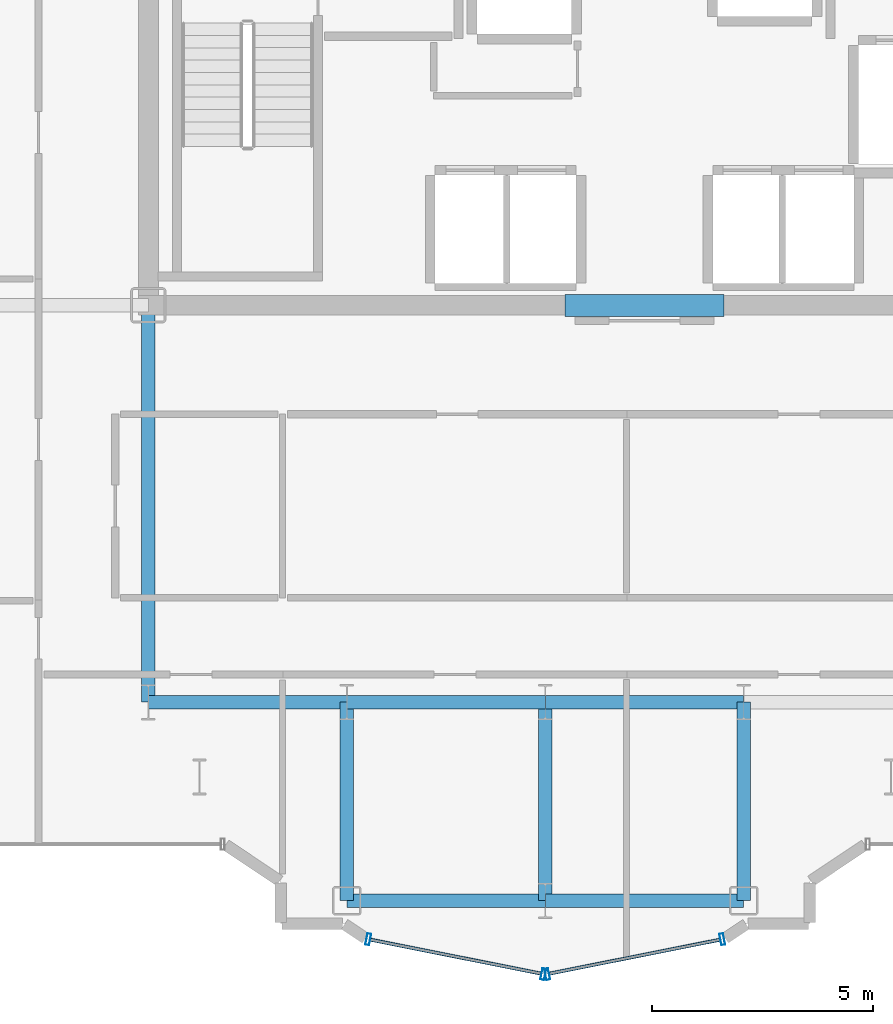
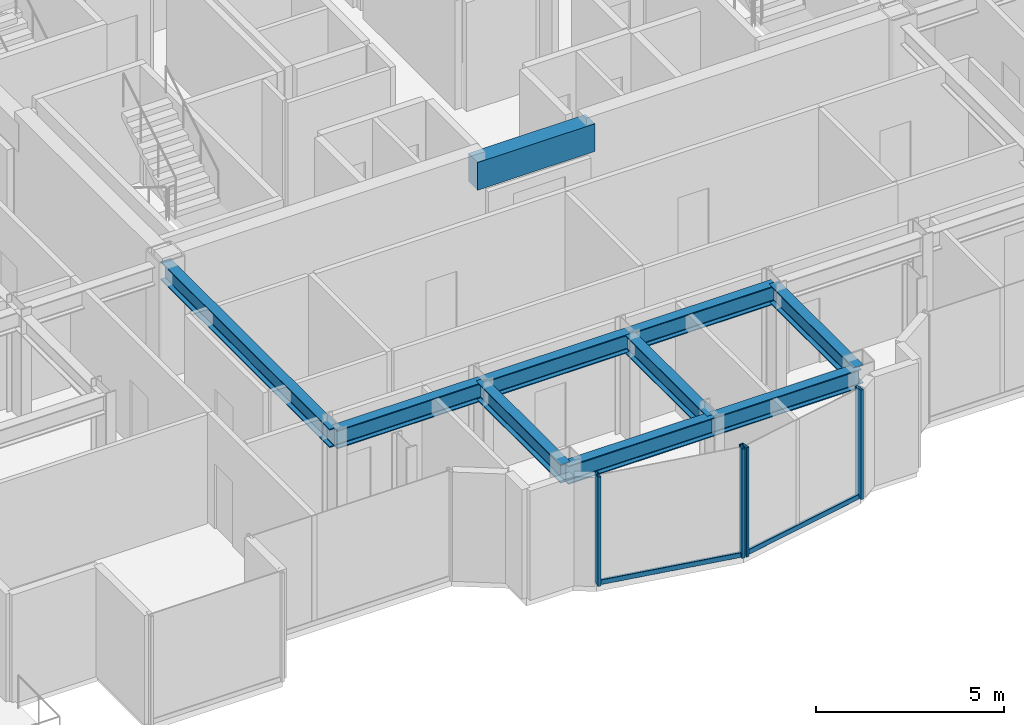
# One storey, part 3 of 21: 10 beams, 6 members, 2 elements without a shape of their own.
"""IFC4 building model written with IfcOpenShell, lengths in metres."""

import ifcopenshell
import ifcopenshell.guid

model = None  # the IFC model being written
_history = None  # IfcOwnerHistory: only IFC2X3 demands one
_inside = {}  # id of a spatial element -> (the spatial element, [elements in it])
_under = {}  # id of a project, library or spatial element -> (it, [spatial elements below it])
_declared = {}  # id of a project -> (the project, [libraries it declares])
_typed = {}  # id of a type object -> (the type object, [elements of that type])
_made_of = {}  # id of a material, layer set ... -> (it, [elements and type objects made of it])


def new_model(schema):
    """Start an empty IFC model of exactly this schema.

    Asked for "IFC4X3", IfcOpenShell would pick the latest addendum, in which some entities
    have other attributes; the version numbers below select the first issue.
    IFC2X3 requires an IfcOwnerHistory on every rooted entity: one is made here for all.
    """
    global model, _history
    if schema == "IFC4X3":
        model = ifcopenshell.file(schema_version=(4, 3, 0, 0))
    else:
        model = ifcopenshell.file(schema=schema)
    _inside.clear()
    _under.clear()
    _declared.clear()
    _typed.clear()
    _made_of.clear()
    _history = None
    if model.schema == "IFC2X3":
        org = make("IfcOrganization", Name="unknown")
        user = make(
            "IfcPersonAndOrganization",
            ThePerson=make("IfcPerson", FamilyName="unknown"),
            TheOrganization=org,
        )
        app = make(
            "IfcApplication",
            ApplicationDeveloper=org,
            Version="unknown",
            ApplicationFullName="unknown",
            ApplicationIdentifier="unknown",
        )
        _history = make(
            "IfcOwnerHistory",
            OwningUser=user,
            OwningApplication=app,
            ChangeAction="ADDED",
            CreationDate=0,
        )
    return model


def make(cls, **values):
    """One entity of the class cls with the attributes given. An attribute that is None is left unset."""
    return model.create_entity(
        cls, **{name: value for name, value in values.items() if value is not None}
    )


def rooted(cls, **values):
    """An entity with a GlobalId (a new one), such as an element, a storey or a relation."""
    return make(cls, GlobalId=ifcopenshell.guid.new(), OwnerHistory=_history, **values)


def si_unit(unit_type, name, prefix=None):
    """IfcSIUnit, for example si_unit("LENGTHUNIT", "METRE", prefix="MILLI")."""
    return make("IfcSIUnit", UnitType=unit_type, Prefix=prefix, Name=name)


def assignment(units):
    """IfcUnitAssignment: the units of a project."""
    return None if units is None else make("IfcUnitAssignment", Units=units)


def point(xyz):
    """IfcCartesianPoint."""
    return None if xyz is None else make("IfcCartesianPoint", Coordinates=xyz)


def direction(xyz):
    """IfcDirection."""
    return None if xyz is None else make("IfcDirection", DirectionRatios=xyz)


def frame(location, z_axis=None, x_axis=None):
    """IfcAxis2Placement3D, a coordinate frame: its origin and axes. An axis left out is left unset."""
    return make(
        "IfcAxis2Placement3D",
        Location=point(location),
        Axis=direction(z_axis),
        RefDirection=direction(x_axis),
    )


def frame_2d(location, x_axis=None):
    """IfcAxis2Placement2D, a coordinate frame in the plane: its origin and x axis."""
    return make(
        "IfcAxis2Placement2D", Location=point(location), RefDirection=direction(x_axis)
    )


def origin():
    """The frame at (0, 0, 0) with its axes left unset."""
    return frame((0.0, 0.0, 0.0))


def origin_2d():
    """The frame at (0, 0) in the plane with its x axis left unset."""
    return frame_2d((0.0, 0.0))


def place(relative_to, where):
    """IfcLocalPlacement: puts the frame where relative to a parent placement (None: the world)."""
    return make(
        "IfcLocalPlacement", PlacementRelTo=relative_to, RelativePlacement=where
    )


def context(
    kind, dimensions, precision=None, world=None, true_north=None, identifier=None
):
    """IfcGeometricRepresentationContext, for example the 3D "Model" context."""
    return make(
        "IfcGeometricRepresentationContext",
        ContextIdentifier=identifier,
        ContextType=kind,
        CoordinateSpaceDimension=dimensions,
        Precision=precision,
        WorldCoordinateSystem=world,
        TrueNorth=true_north,
    )


def subcontext(parent, identifier, kind, view, scale=None):
    """IfcGeometricRepresentationSubContext, for example "Body" below "Model"."""
    return make(
        "IfcGeometricRepresentationSubContext",
        ContextIdentifier=identifier,
        ContextType=kind,
        ParentContext=parent,
        TargetScale=scale,
        TargetView=view,
    )


def project(units=None, contexts=None):
    """IfcProject with its units and contexts."""
    return rooted(
        "IfcProject",
        Name="project",
        RepresentationContexts=contexts,
        UnitsInContext=assignment(units),
    )


def spatial(cls, under=None, at=None, **own):
    """A site, building, storey or space (cls), placed at a placement, below another one or the project."""
    s = rooted(cls, ObjectPlacement=at, **own)
    if under is not None:
        _under.setdefault(under.id(), (under, []))[1].append(s)
    return s


def profile(cls, at=None, kind="AREA", **sizes):
    """A parametric profile (cls). Its sizes go by their IFC names, for example OverallWidth=200.0."""
    return make(cls, ProfileType=kind, Position=at, **sizes)


def rectangle(**sizes):
    """IfcRectangleProfileDef."""
    return profile("IfcRectangleProfileDef", **sizes)


def hollow_rectangle(**sizes):
    """IfcRectangleHollowProfileDef."""
    return profile("IfcRectangleHollowProfileDef", **sizes)


def i_section(**sizes):
    """IfcIShapeProfileDef."""
    return profile("IfcIShapeProfileDef", **sizes)


def extrude(swept, where, along, depth):
    """IfcExtrudedAreaSolid: the profile swept, set in the frame where, extruded along a direction by depth."""
    return make(
        "IfcExtrudedAreaSolid",
        SweptArea=swept,
        Position=where,
        ExtrudedDirection=direction(along),
        Depth=depth,
    )


def shape(context_of_items, identifier, shape_type, items):
    """IfcShapeRepresentation: the items that make up one representation, for example the "Body"."""
    return make(
        "IfcShapeRepresentation",
        ContextOfItems=context_of_items,
        RepresentationIdentifier=identifier,
        RepresentationType=shape_type,
        Items=items,
    )


def source(mapping_origin, context_of_items, identifier, shape_type, items):
    """IfcRepresentationMap: a shape defined once, which mapped items show again and again."""
    return make(
        "IfcRepresentationMap",
        MappingOrigin=mapping_origin,
        MappedRepresentation=shape(context_of_items, identifier, shape_type, items),
    )


def transform(
    local_origin,
    x_axis=None,
    y_axis=None,
    z_axis=None,
    scale=None,
    scale2=None,
    scale3=None,
    uniform=True,
):
    """IfcCartesianTransformationOperator3D, or its non-uniform kind. x_axis, y_axis, z_axis: its Axis1, 2, 3."""
    if uniform:
        return make(
            "IfcCartesianTransformationOperator3D",
            Axis1=direction(x_axis),
            Axis2=direction(y_axis),
            LocalOrigin=point(local_origin),
            Scale=scale,
            Axis3=direction(z_axis),
        )
    return make(
        "IfcCartesianTransformationOperator3DnonUniform",
        Axis1=direction(x_axis),
        Axis2=direction(y_axis),
        LocalOrigin=point(local_origin),
        Scale=scale,
        Axis3=direction(z_axis),
        Scale2=scale2,
        Scale3=scale3,
    )


def mapped(mapping_source, mapping_target):
    """IfcMappedItem: shows the shape of a source again, moved by a transform."""
    return make(
        "IfcMappedItem", MappingSource=mapping_source, MappingTarget=mapping_target
    )


def material(Name=None, Category=None):
    """IfcMaterial."""
    return make("IfcMaterial", Name=Name, Category=Category)


def layer(
    of_material, thickness, ventilated=None, Name=None, Category=None, Priority=None
):
    """IfcMaterialLayer: one layer of a wall or slab, of a material (None: an air gap)."""
    return make(
        "IfcMaterialLayer",
        Material=of_material,
        LayerThickness=thickness,
        IsVentilated=ventilated,
        Name=Name,
        Category=Category,
        Priority=Priority,
    )


def layer_set(layers, Name=None):
    """IfcMaterialLayerSet."""
    return make("IfcMaterialLayerSet", MaterialLayers=layers, LayerSetName=Name)


def material_profile(
    of_material, cross_section, Name=None, Category=None, Priority=None
):
    """IfcMaterialProfile: a cross section and its material."""
    return make(
        "IfcMaterialProfile",
        Name=Name,
        Material=of_material,
        Profile=cross_section,
        Priority=Priority,
        Category=Category,
    )


def profile_set(profiles, Name=None, composite=None):
    """IfcMaterialProfileSet."""
    return make(
        "IfcMaterialProfileSet",
        Name=Name,
        MaterialProfiles=profiles,
        CompositeProfile=composite,
    )


def made_of(thing, what):
    """Note that an element or type object is made of a material, layer set ...; save() writes the relation."""
    if what is not None:
        _made_of.setdefault(what.id(), (what, []))[1].append(thing)
    return thing


def type_object(cls, material=None, **own):
    """A type object (cls), such as IfcWallType, which elements share."""
    return made_of(rooted(cls, **own), material)


def element(
    cls,
    number,
    at=None,
    inside=None,
    cuts=None,
    type_object=None,
    material=None,
    context=None,
    identifier="Body",
    shape_type=None,
    held_by="IfcProductDefinitionShape",
    body=None,
    shapes=None,
    **own,
):
    """One element of the class cls, such as IfcWall. Its Tag is "e" and its number.

    at: its placement. inside: the storey or other place that contains it. cuts: it is an
    opening in that element (IfcRelVoidsElement). A single representation is given by context,
    identifier, shape_type and body (its items); several are given by shapes. held_by: the class
    of the entity that holds the representations. save() writes the other relations.
    """
    e = rooted(cls, Tag="e%d" % number, ObjectPlacement=at, **own)
    if body is not None:
        shapes = [shape(context, identifier, shape_type, body)]
    if shapes is not None:
        e.Representation = make(held_by, Representations=shapes)
    if inside is not None:
        _inside.setdefault(inside.id(), (inside, []))[1].append(e)
    if cuts is not None:
        rooted(
            "IfcRelVoidsElement", RelatingBuildingElement=cuts, RelatedOpeningElement=e
        )
    if type_object is not None:
        _typed.setdefault(type_object.id(), (type_object, []))[1].append(e)
    return made_of(e, material)


def aggregate(whole, parts):
    """IfcRelAggregates: a whole, such as a stair, and the parts it consists of."""
    return rooted("IfcRelAggregates", RelatingObject=whole, RelatedObjects=parts)


def save(model, path):
    """Write the relations noted so far, then the file.

    IfcRelAggregates (storeys below a building ...), IfcRelContainedInSpatialStructure (elements
    in a storey), IfcRelDefinesByType, IfcRelAssociatesMaterial and IfcRelDeclares: one each for
    every whole, place, type object, material and project.
    """
    for whole, parts in _under.values():
        aggregate(whole, parts)
    for where, things in _inside.values():
        rooted(
            "IfcRelContainedInSpatialStructure",
            RelatedElements=things,
            RelatingStructure=where,
        )
    for kind, things in _typed.values():
        rooted("IfcRelDefinesByType", RelatedObjects=things, RelatingType=kind)
    for what, things in _made_of.values():
        rooted("IfcRelAssociatesMaterial", RelatedObjects=things, RelatingMaterial=what)
    for by, libraries in _declared.values():
        rooted("IfcRelDeclares", RelatingContext=by, RelatedDefinitions=libraries)
    model.write(path)


model = new_model("IFC4")

# Units and contexts
model_context = context("Model", 3, precision=1e-05, world=origin(), true_north=direction((0.0, 1.0)))
body_context = subcontext(model_context, "Body", "Model", "MODEL_VIEW")
ifc_project = project(units=[si_unit("LENGTHUNIT", "METRE"), si_unit("AREAUNIT", "SQUARE_METRE"), si_unit("VOLUMEUNIT", "CUBIC_METRE"), si_unit("PLANEANGLEUNIT", "RADIAN"), si_unit("MASSUNIT", "GRAM", prefix="KILO")], contexts=[model_context])

# Site, building, storey
site_placement = place(None, origin())
site = spatial("IfcSite", under=ifc_project, at=site_placement, CompositionType="ELEMENT")
building_placement = place(site_placement, origin())
building = spatial("IfcBuilding", under=site, at=building_placement, Name="Nefas-Gora Pilgrimage Tower", CompositionType="ELEMENT")
storey_placement = place(building_placement, frame((0.0, 0.0, 206.60009765625)))
storey = spatial("IfcBuildingStorey", under=building, at=storey_placement, Name="L51", CompositionType="ELEMENT", Elevation=206.60009765625)

# Beams
ifc_material_1 = material(Name="Concrete C50/60", Category="concrete")
ifc_material_profile_1 = material_profile(ifc_material_1, rectangle(XDim=0.5, YDim=0.89990234375, at=origin_2d()), Name="RC 500x900")
ifc_profile_set_1 = profile_set([ifc_material_profile_1], Name="Concrete C50/60")
beam_type_1 = type_object("IfcBeamType", Name="BM-LIN-RC900", PredefinedType="LINTEL", material=ifc_profile_set_1)
shared_shape_1 = source(origin(), body_context, "Body", "SweptSolid", [
    extrude(rectangle(XDim=0.5, YDim=0.89990234375, at=origin_2d()), origin(), (0.0, 0.0, 1.0), 3.60009765625),
])
beam_1_placement = place(storey_placement, frame((-1.800048828125, -9.0, 3.099853515625), z_axis=(1.0, 0.0, 0.0), x_axis=(0.0, 1.0, 0.0)))
element("IfcBeam", 1, at=beam_1_placement, inside=storey, type_object=beam_type_1, Name="L51 Core Coupling Lintel Beam S", PredefinedType="LINTEL", context=body_context, shape_type="MappedRepresentation", body=[
    mapped(shared_shape_1, transform((0.0, 0.0, 0.0), x_axis=(1.0, 0.0, 0.0), y_axis=(0.0, 1.0, 0.0), z_axis=(0.0, 0.0, 1.0), scale=1.0)),
])
ifc_material_2 = material(Name="Steel S355", Category="steel")
ifc_material_profile_2 = material_profile(ifc_material_2, i_section(OverallWidth=0.300048828125, OverallDepth=0.60009765625, WebThickness=0.015380859375, FlangeThickness=0.030029296875, FilletRadius=0.027099609375, at=origin_2d()), Name="HEB 600")
ifc_profile_set_2 = profile_set([ifc_material_profile_2], Name="Steel S355")
beam_type_2 = type_object("IfcBeamType", Name="BM-GIR-HEB600", PredefinedType="BEAM", material=ifc_profile_set_2)
shared_shape_2 = source(origin(), body_context, "Body", "SweptSolid", [
    extrude(i_section(OverallWidth=0.300048828125, OverallDepth=0.60009765625, WebThickness=0.015380859375, FlangeThickness=0.030029296875, FilletRadius=0.027099609375, at=origin_2d()), origin(), (0.0, 0.0, 1.0), 9.0),
])
beam_2_placement = place(storey_placement, frame((-11.25, -18.0, 3.25), z_axis=(0.0, 1.0, 0.0), x_axis=(-1.0, 0.0, 0.0)))
element("IfcBeam", 2, at=beam_2_placement, inside=storey, type_object=beam_type_2, Name="L51 G-04 beam", PredefinedType="BEAM", context=body_context, shape_type="MappedRepresentation", body=[
    mapped(shared_shape_2, transform((0.0, 0.0, 0.0), x_axis=(1.0, 0.0, 0.0), y_axis=(0.0, 1.0, 0.0), z_axis=(0.0, 0.0, 1.0), scale=1.0)),
])
shared_shape_3 = source(origin(), body_context, "Body", "SweptSolid", [
    extrude(i_section(OverallWidth=0.300048828125, OverallDepth=0.60009765625, WebThickness=0.015380859375, FlangeThickness=0.030029296875, FilletRadius=0.027099609375, at=origin_2d()), origin(), (0.0, 0.0, 1.0), 4.5),
])
for number, where, z_axis, x_axis, name in (
    (3, (-11.25, -18.0, 3.25), (1.0, 0.0, 0.0), (0.0, 1.0, 0.0), "L51 G-04 beam"),
    (4, (-6.75, -22.5, 3.25), (0.0, 1.0, 0.0), (-1.0, 0.0, 0.0), "L51 G-04 beam"),
    (5, (-6.75, -22.5, 3.25), (1.0, 0.0, 0.0), (0.0, 1.0, 0.0), "L51 G-04 beam"),
    (6, (-6.75, -18.0, 3.25), (1.0, 0.0, 0.0), (0.0, 1.0, 0.0), "L51 G-04 beam"),
    (7, (-2.25, -22.5, 3.25), (0.0, 1.0, 0.0), (-1.0, 0.0, 0.0), "L51 G-04 beam"),
    (8, (-2.25, -22.5, 3.25), (1.0, 0.0, 0.0), (0.0, 1.0, 0.0), "L51 G-04 beam"),
    (9, (-2.25, -18.0, 3.25), (1.0, 0.0, 0.0), (0.0, 1.0, 0.0), "L51 G-04 beam"),
    (10, (2.25, -22.5, 3.25), (0.0, 1.0, 0.0), (-1.0, 0.0, 0.0), "L51 G-04 beam"),
):
    element("IfcBeam", number, at=place(storey_placement, frame(where, z_axis=z_axis, x_axis=x_axis)), inside=storey, type_object=beam_type_2, Name=name, PredefinedType="BEAM", context=body_context, shape_type="MappedRepresentation", body=[
        mapped(shared_shape_3, transform((0.0, 0.0, 0.0), x_axis=(1.0, 0.0, 0.0), y_axis=(0.0, 1.0, 0.0), z_axis=(0.0, 0.0, 1.0), scale=1.0)),
    ])

# Curtain wall, member
ifc_material_3 = material(Name="Dark ceramic-fritted solar-control aluminium-glass curtain wall", Category="aluminium")
ifc_layer = layer(ifc_material_3, 0.219970703125)
ifc_layer_set = layer_set([ifc_layer], Name="Dark ceramic-fritted solar-control aluminium-glass curtain wall")
curtain_wall_type = type_object("IfcCurtainWallType", Name="CW-SYS-5", PredefinedType="NOTDEFINED", material=ifc_layer_set)
curtain_wall_1_placement = place(storey_placement, origin())
curtain_wall_1 = element("IfcCurtainWall", 11, at=curtain_wall_1_placement, inside=storey, type_object=curtain_wall_type, Name="L51 Unitised Curtain Wall CW5", PredefinedType="NOTDEFINED")
ifc_material_4 = material(Name="Anodised architectural aluminium", Category="aluminium")
ifc_material_profile_3 = material_profile(ifc_material_4, hollow_rectangle(XDim=0.080078125, YDim=0.159912109375, WallThickness=0.00439453125, InnerFilletRadius=0.00439453125, OuterFilletRadius=0.009033203125, at=origin_2d()), Name="ALU TRANSOM 80x160")
ifc_profile_set_3 = profile_set([ifc_material_profile_3], Name="Anodised architectural aluminium")
member_type_1 = type_object("IfcMemberType", Name="CWM-TRN-5", PredefinedType="USERDEFINED", material=ifc_profile_set_3)
shared_shape_4 = source(origin(), body_context, "Body", "SweptSolid", [
    extrude(hollow_rectangle(XDim=0.080078125, YDim=0.159912109375, WallThickness=0.00439453125, InnerFilletRadius=0.00439453125, OuterFilletRadius=0.009033203125, at=origin_2d()), origin(), (0.0, 0.0, 1.0), 3.95654296875),
])
member_1_placement = place(storey_placement, frame((-6.218994140625, -23.3828125, 0.0498046875), z_axis=(0.980781880918, -0.195107411605, 0.0), x_axis=(0.195107411605, 0.980781880918, 0.0)))
member_1 = element("IfcMember", 12, at=member_1_placement, type_object=member_type_1, Name="CW5 Spandrel Transom", ObjectType="TRANSOM", PredefinedType="USERDEFINED", context=body_context, shape_type="MappedRepresentation", body=[
    mapped(shared_shape_4, transform((0.0, 0.0, 0.0), x_axis=(1.0, 0.0, 0.0), y_axis=(0.0, 1.0, 0.0), z_axis=(0.0, 0.0, 1.0), scale=1.0)),
])

curtain_wall_2_placement = place(storey_placement, origin())
curtain_wall_2 = element("IfcCurtainWall", 13, at=curtain_wall_2_placement, inside=storey, type_object=curtain_wall_type, Name="L51 Unitised Curtain Wall CW5", PredefinedType="NOTDEFINED")
member_2_placement = place(storey_placement, frame((-2.16162109375, -24.15478515625, 0.0498046875), z_axis=(0.980781880918, 0.195107411605, 0.0), x_axis=(-0.195107411605, 0.980781880918, 0.0)))
member_2 = element("IfcMember", 14, at=member_2_placement, type_object=member_type_1, Name="CW5 Spandrel Transom", ObjectType="TRANSOM", PredefinedType="USERDEFINED", context=body_context, shape_type="MappedRepresentation", body=[
    mapped(shared_shape_4, transform((0.0, 0.0, 0.0), x_axis=(1.0, 0.0, 0.0), y_axis=(0.0, 1.0, 0.0), z_axis=(0.0, 0.0, 1.0), scale=1.0)),
])

# Member
ifc_material_profile_4 = material_profile(ifc_material_4, hollow_rectangle(XDim=0.090087890625, YDim=0.260009765625, WallThickness=0.006103515625, InnerFilletRadius=0.006103515625, OuterFilletRadius=0.011962890625, at=origin_2d()), Name="ALU MULLION 90x260")
ifc_profile_set_4 = profile_set([ifc_material_profile_4], Name="Anodised architectural aluminium")
member_type_2 = type_object("IfcMemberType", Name="CWM-MUL-5", PredefinedType="MULLION", material=ifc_profile_set_4)
shared_shape_5 = source(origin(), body_context, "Body", "SweptSolid", [
    extrude(hollow_rectangle(XDim=0.090087890625, YDim=0.260009765625, WallThickness=0.006103515625, InnerFilletRadius=0.006103515625, OuterFilletRadius=0.011962890625, at=origin_2d()), origin(), (0.0, 0.0, 1.0), 3.5498046875),
])
member_3_placement = place(storey_placement, frame((-6.26318359375, -23.3740234375, 0.0), z_axis=(0.0, 0.0, 1.0), x_axis=(0.980782896852, -0.195102304554, 0.0)))
member_3 = element("IfcMember", 15, at=member_3_placement, type_object=member_type_2, Name="CW5 Mullion 1", PredefinedType="MULLION", context=body_context, shape_type="MappedRepresentation", body=[
    mapped(shared_shape_5, transform((0.0, 0.0, 0.0), x_axis=(1.0, 0.0, 0.0), y_axis=(0.0, 1.0, 0.0), z_axis=(0.0, 0.0, 1.0), scale=1.0)),
])

member_4_placement = place(storey_placement, frame((-2.294189453125, -24.16357421875, 0.0), z_axis=(0.0, 0.0, 1.0), x_axis=(0.980782896852, -0.195102304554, 0.0)))
member_4 = element("IfcMember", 16, at=member_4_placement, type_object=member_type_2, Name="CW5 Mullion 2", PredefinedType="MULLION", context=body_context, shape_type="MappedRepresentation", body=[
    mapped(shared_shape_5, transform((0.0, 0.0, 0.0), x_axis=(1.0, 0.0, 0.0), y_axis=(0.0, 1.0, 0.0), z_axis=(0.0, 0.0, 1.0), scale=1.0)),
])

aggregate(curtain_wall_1, [member_3, member_4, member_1])

member_5_placement = place(storey_placement, frame((-2.205810546875, -24.16357421875, 0.0), z_axis=(0.0, 0.0, 1.0), x_axis=(0.980782896852, 0.195102304554, 0.0)))
member_5 = element("IfcMember", 17, at=member_5_placement, type_object=member_type_2, Name="CW5 Mullion 1", PredefinedType="MULLION", context=body_context, shape_type="MappedRepresentation", body=[
    mapped(shared_shape_5, transform((0.0, 0.0, 0.0), x_axis=(1.0, 0.0, 0.0), y_axis=(0.0, 1.0, 0.0), z_axis=(0.0, 0.0, 1.0), scale=1.0)),
])

member_6_placement = place(storey_placement, frame((1.76318359375, -23.3740234375, 0.0), z_axis=(0.0, 0.0, 1.0), x_axis=(0.980782896852, 0.195102304554, 0.0)))
member_6 = element("IfcMember", 18, at=member_6_placement, type_object=member_type_2, Name="CW5 Mullion 2", PredefinedType="MULLION", context=body_context, shape_type="MappedRepresentation", body=[
    mapped(shared_shape_5, transform((0.0, 0.0, 0.0), x_axis=(1.0, 0.0, 0.0), y_axis=(0.0, 1.0, 0.0), z_axis=(0.0, 0.0, 1.0), scale=1.0)),
])

aggregate(curtain_wall_2, [member_5, member_6, member_2])

save(model, "model.ifc")
